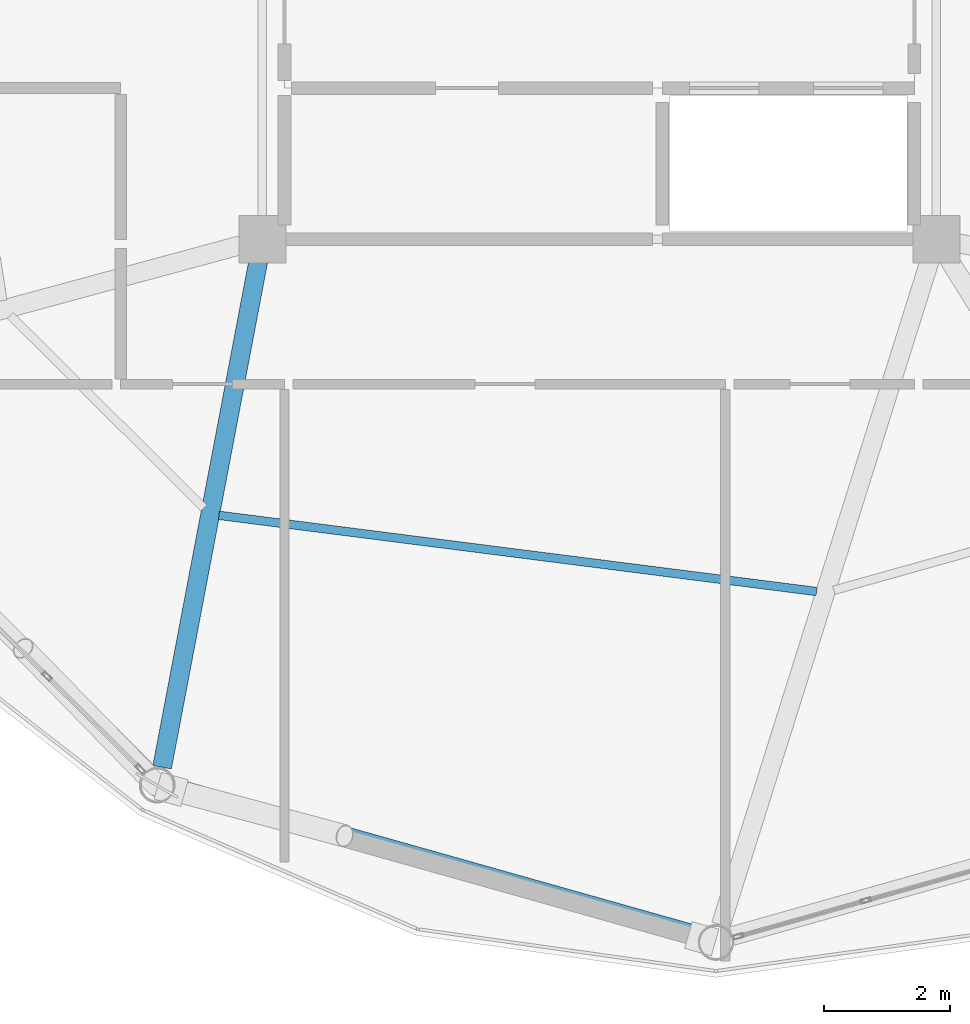
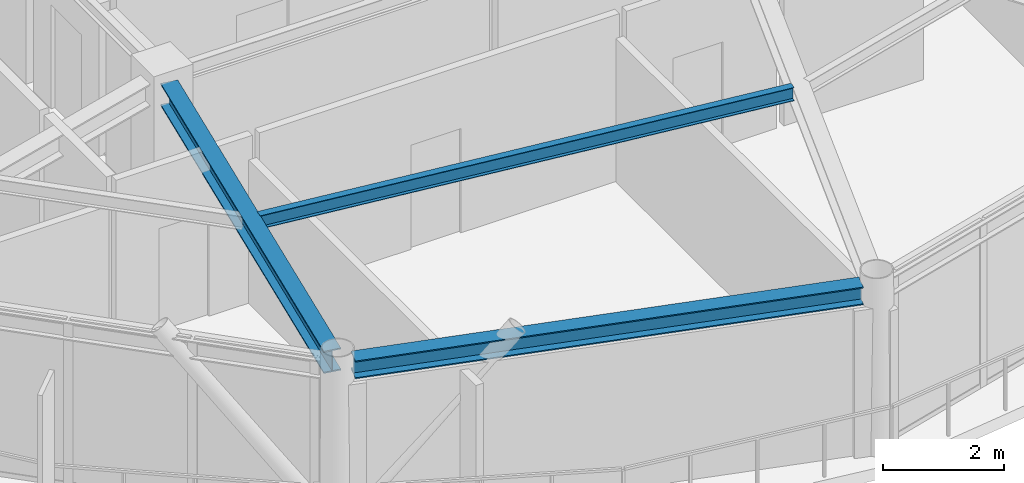
# One storey, part 3 of 24: 3 beams.
"""IFC4 building model written with IfcOpenShell, lengths in metres."""

from ifc_helpers import new_model, si_unit, direction, frame, origin, origin_2d, place, context, subcontext, project, spatial, i_section, extrude, material, material_profile, profile_set, type_object, element, save


model = new_model("IFC4")

# Units and contexts
model_context = context("Model", 3, precision=1e-05, world=origin(), true_north=direction((0.0, 1.0)))
body_context = subcontext(model_context, "Body", "Model", "MODEL_VIEW")
ifc_project = project(units=[si_unit("LENGTHUNIT", "METRE"), si_unit("AREAUNIT", "SQUARE_METRE"), si_unit("VOLUMEUNIT", "CUBIC_METRE"), si_unit("PLANEANGLEUNIT", "RADIAN"), si_unit("MASSUNIT", "GRAM", prefix="KILO")], contexts=[model_context])

# Site, building, storey
site_placement = place(None, origin())
site = spatial("IfcSite", under=ifc_project, at=site_placement, CompositionType="ELEMENT")
building_placement = place(site_placement, origin())
building = spatial("IfcBuilding", under=site, at=building_placement, Name="Varnakorn Sky Granary", CompositionType="ELEMENT")
storey_placement = place(building_placement, frame((0.0, 0.0, 281.39990234375)))
storey = spatial("IfcBuildingStorey", under=building, at=storey_placement, Name="L72", CompositionType="ELEMENT", Elevation=281.39990234375)

# Beams
ifc_material = material(Name="Steel S355JR", Category="steel")
ifc_material_profile_1 = material_profile(ifc_material, i_section(OverallWidth=0.300048828125, OverallDepth=0.449951171875, WebThickness=0.013916015625, FlangeThickness=0.02587890625, at=origin_2d()), Name="HE 450 B")
ifc_profile_set_1 = profile_set([ifc_material_profile_1], Name="Steel S355JR")
beam_type_1 = type_object("IfcBeamType", Name="BM-RAD-Z5", PredefinedType="BEAM", material=ifc_profile_set_1)
beam_1_placement = place(storey_placement, frame((-2.416259765625, -6.94873046875, 3.135009765625), z_axis=(-0.186626350123, -0.982430967264, 0.0), x_axis=(0.982430967264, -0.186626350123, 0.0)))
element("IfcBeam", 1, at=beam_1_placement, inside=storey, type_object=beam_type_1, Name="Radial Floor Girder RG09 L72", PredefinedType="BEAM", context=body_context, shape_type="SweptSolid", body=[
    extrude(i_section(OverallWidth=0.300048828125, OverallDepth=0.449951171875, WebThickness=0.013916015625, FlangeThickness=0.02587890625, at=origin_2d()), origin(), (0.0, 0.0, 1.0), 8.176025390625),
])
ifc_material_profile_2 = material_profile(ifc_material, i_section(OverallWidth=0.135009765625, OverallDepth=0.27001953125, WebThickness=0.006591796875, FlangeThickness=0.01025390625, at=origin_2d()), Name="IPE 270")
ifc_profile_set_2 = profile_set([ifc_material_profile_2], Name="Steel S355JR")
beam_type_2 = type_object("IfcBeamType", Name="BM-SEC-Z5", PredefinedType="BEAM", material=ifc_profile_set_2)
beam_2_placement = place(storey_placement, frame((-3.040283203125, -10.98291015625, 3.22509765625), z_axis=(0.991972548905, -0.126453399395, 0.0), x_axis=(0.126453399395, 0.991972548905, 0.0)))
element("IfcBeam", 2, at=beam_2_placement, inside=storey, type_object=beam_type_2, Name="Secondary Floor Chord Beam MSB09 L72", PredefinedType="BEAM", context=body_context, shape_type="SweptSolid", body=[
    extrude(i_section(OverallWidth=0.135009765625, OverallDepth=0.27001953125, WebThickness=0.006591796875, FlangeThickness=0.01025390625, at=origin_2d()), origin(), (0.0, 0.0, 1.0), 9.564453125),
])
ifc_material_profile_3 = material_profile(ifc_material, i_section(OverallWidth=0.300048828125, OverallDepth=0.360107421875, WebThickness=0.012451171875, FlangeThickness=0.0224609375, at=origin_2d()), Name="HE 360 B")
ifc_profile_set_3 = profile_set([ifc_material_profile_3], Name="Steel S355JR")
beam_type_3 = type_object("IfcBeamType", Name="BM-SPD-Z5", PredefinedType="SPANDREL", material=ifc_profile_set_3)
beam_3_placement = place(storey_placement, frame((-3.73681640625, -15.31298828125, 3.18017578125), z_axis=(0.96248008675, -0.271352321917, 0.0), x_axis=(0.271352321917, 0.96248008675, 0.0)))
element("IfcBeam", 3, at=beam_3_placement, inside=storey, type_object=beam_type_3, Name="Perimeter Spandrel Ring Beam RB09 L72", PredefinedType="SPANDREL", context=body_context, shape_type="SweptSolid", body=[
    extrude(i_section(OverallWidth=0.300048828125, OverallDepth=0.360107421875, WebThickness=0.012451171875, FlangeThickness=0.0224609375, at=origin_2d()), origin(), (0.0, 0.0, 1.0), 8.656982421875),
])

save(model, "model.ifc")
